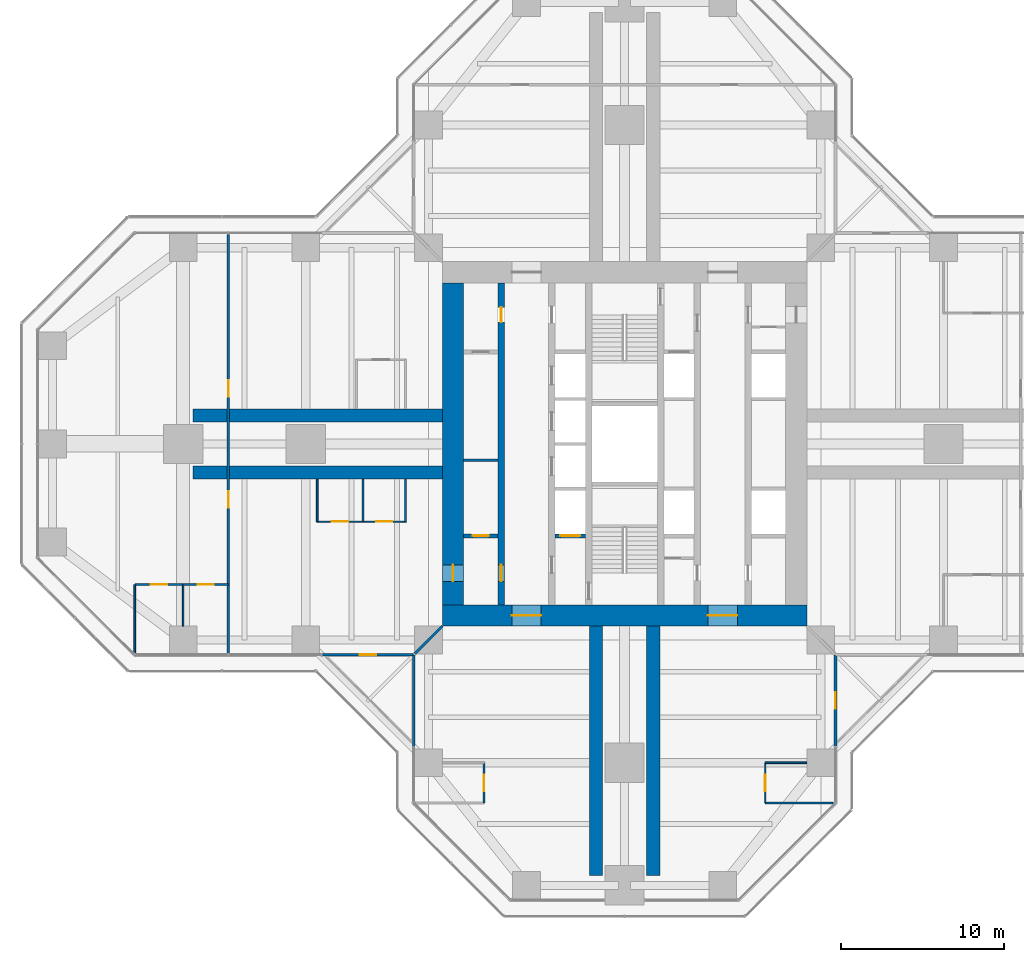
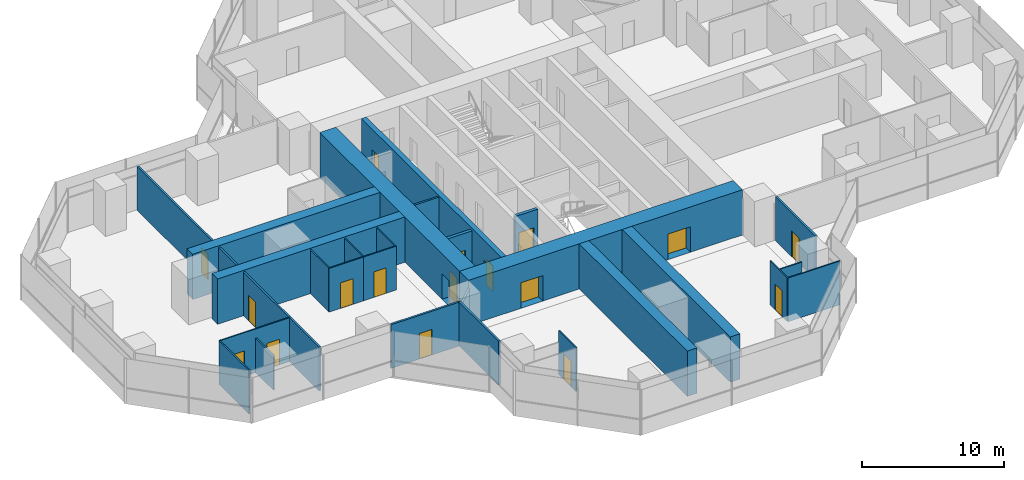
# One storey, part 15 of 20: 27 walls, 17 doors, 17 openings.
"""IFC4 building model written with IfcOpenShell, lengths in metres."""

from ifc_helpers import new_model, si_unit, direction, frame, frame_2d, origin, place, context, subcontext, project, spatial, rectangle, extrude, material, layer, layer_set, type_object, element, fill, save


model = new_model("IFC4")

# Units and contexts
model_context = context("Model", 3, precision=1e-05, world=origin(), true_north=direction((0.0, 1.0)))
body_context = subcontext(model_context, "Body", "Model", "MODEL_VIEW")
ifc_project = project(units=[si_unit("LENGTHUNIT", "METRE"), si_unit("AREAUNIT", "SQUARE_METRE"), si_unit("VOLUMEUNIT", "CUBIC_METRE"), si_unit("PLANEANGLEUNIT", "RADIAN"), si_unit("MASSUNIT", "GRAM", prefix="KILO")], contexts=[model_context])

# Site, building, storey
site_placement = place(None, origin())
site = spatial("IfcSite", under=ifc_project, at=site_placement, CompositionType="ELEMENT")
building_placement = place(site_placement, origin())
building = spatial("IfcBuilding", under=site, at=building_placement, Name="Mizan Broadcast Tower", CompositionType="ELEMENT")
storey_placement = place(building_placement, frame((0.0, 0.0, 143.699951171875)))
storey = spatial("IfcBuildingStorey", under=building, at=storey_placement, Name="L32", CompositionType="ELEMENT", Elevation=143.699951171875)

# Wall, openings, doors
ifc_material_1 = material(Name="Concrete C70/85", Category="concrete")
ifc_layer_1 = layer(ifc_material_1, 0.39990234375)
ifc_layer_set_1 = layer_set([ifc_layer_1], Name="Concrete C70/85")
wall_type_1 = type_object("IfcWallType", Name="CORE INTERNAL WALL 400", PredefinedType="SHEAR", material=ifc_layer_set_1)
wall_1_placement = place(storey_placement, frame((-7.550048828125, -9.85009765625, 0.0), z_axis=(0.0, 0.0, 1.0), x_axis=(0.0, 1.0, 0.0)))
wall_1 = element("IfcWall", 1, at=wall_1_placement, inside=storey, type_object=wall_type_1, Name="Core wall CORE/XW1", PredefinedType="SHEAR", context=body_context, shape_type="SweptSolid", body=[
    extrude(rectangle(XDim=19.7001953125, YDim=0.39990234375, at=frame_2d((9.85009765625, 0.0))), origin(), (0.0, 0.0, 1.0), 3.900146484375),
])
opening_1_placement = place(wall_1_placement, frame((1.449951171875, 0.0, 0.0)))
opening_1 = element("IfcOpeningElement", 2, at=opening_1_placement, cuts=wall_1, Name="Opening D10F", PredefinedType="OPENING", context=body_context, shape_type="SweptSolid", body=[
    extrude(rectangle(XDim=1.0, YDim=2.199951171875, at=frame_2d((0.5, 1.10009765625))), frame((0.0, 0.2099609375, 0.0), z_axis=(0.0, -1.0, 0.0), x_axis=(1.0, 0.0, 0.0)), (0.0, 0.0, 1.0), 0.419921875),
])
opening_2_placement = place(wall_1_placement, frame((17.300048828125, 0.0, 0.0)))
opening_2 = element("IfcOpeningElement", 3, at=opening_2_placement, cuts=wall_1, Name="Opening D09", PredefinedType="OPENING", context=body_context, shape_type="SweptSolid", body=[
    extrude(rectangle(XDim=0.89990234375, YDim=2.10009765625, at=frame_2d((0.449951171875, 1.050048828125))), frame((0.0, 0.2099609375, 0.0), z_axis=(0.0, -1.0, 0.0), x_axis=(1.0, 0.0, 0.0)), (0.0, 0.0, 1.0), 0.419921875),
])
ifc_material_2 = material(Name="Steel door leaf in steel frame", Category="steel")
door_type_1 = type_object("IfcDoorType", Name="FIRE DOOR 1000 FD90", OperationType="SINGLE_SWING_LEFT", PredefinedType="DOOR", material=ifc_material_2)
door_1_placement = place(opening_1_placement, origin())
door_1 = element("IfcDoor", 4, at=door_1_placement, inside=storey, type_object=door_type_1, Name="West core passage door", OperationType="SINGLE_SWING_LEFT", OverallHeight=2.199951171875, OverallWidth=1.0, PredefinedType="DOOR", context=body_context, shape_type="SweptSolid", body=[
    extrude(rectangle(XDim=1.0, YDim=2.199951171875, at=frame_2d((0.5, 1.10009765625))), frame((0.0, 0.02490234375, 0.0), z_axis=(0.0, -1.0, 0.0), x_axis=(1.0, 0.0, 0.0)), (0.0, 0.0, 1.0), 0.050048828125),
])
fill(opening_1, door_1)
ifc_material_3 = material(Name="Timber door leaf in aluminium frame", Category="wood")
door_type_2 = type_object("IfcDoorType", Name="TOILET DOOR 900", OperationType="SINGLE_SWING_LEFT", PredefinedType="DOOR", material=ifc_material_3)
door_2_placement = place(opening_2_placement, origin())
door_2 = element("IfcDoor", 5, at=door_2_placement, inside=storey, type_object=door_type_2, Name="Male WC door", OperationType="SINGLE_SWING_RIGHT", OverallHeight=2.10009765625, OverallWidth=0.89990234375, PredefinedType="DOOR", context=body_context, shape_type="SweptSolid", body=[
    extrude(rectangle(XDim=0.89990234375, YDim=2.10009765625, at=frame_2d((0.449951171875, 1.050048828125))), frame((0.0, 0.02490234375, 0.0), z_axis=(0.0, -1.0, 0.0), x_axis=(1.0, 0.0, 0.0)), (0.0, 0.0, 1.0), 0.050048828125),
])
fill(opening_2, door_2)

# Wall
ifc_material_4 = material(Name="Concrete blockwork", Category="masonry")
ifc_layer_2 = layer(ifc_material_4, 0.14990234375)
ifc_layer_set_2 = layer_set([ifc_layer_2], Name="Concrete blockwork")
wall_type_2 = type_object("IfcWallType", Name="CORE PARTITION 150", PredefinedType="SOLIDWALL", material=ifc_layer_set_2)
wall_2_placement = place(storey_placement, frame((-9.85009765625, -1.0, 0.0), z_axis=(0.0, 0.0, 1.0), x_axis=(1.0, 0.0, 0.0)))
element("IfcWall", 6, at=wall_2_placement, inside=storey, type_object=wall_type_2, Name="Core partition CORE/XP1", PredefinedType="SOLIDWALL", context=body_context, shape_type="SweptSolid", body=[
    extrude(rectangle(XDim=2.10009765625, YDim=0.14990234375, at=frame_2d((1.050048828125, 0.0))), origin(), (0.0, 0.0, 1.0), 3.77001953125),
])

# Wall, openings, doors
ifc_material_5 = material(Name="Concrete C70/85", Category="concrete")
ifc_layer_3 = layer(ifc_material_5, 1.300048828125)
ifc_layer_set_3 = layer_set([ifc_layer_3], Name="Concrete C70/85")
wall_type_3 = type_object("IfcWallType", Name="CORE WALL 1300", PredefinedType="SHEAR", material=ifc_layer_set_3)
wall_3_placement = place(storey_placement, frame((11.14990234375, -10.5, 0.0), z_axis=(0.0, 0.0, 1.0), x_axis=(-1.0, 0.0, 0.0)))
wall_3 = element("IfcWall", 7, at=wall_3_placement, inside=storey, type_object=wall_type_3, Name="Core wall S L32", PredefinedType="SHEAR", context=body_context, shape_type="SweptSolid", body=[
    extrude(rectangle(XDim=22.2998046875, YDim=1.300048828125, at=frame_2d((11.14990234375, 0.0))), origin(), (0.0, 0.0, 1.0), 3.900146484375),
])
opening_3_placement = place(wall_3_placement, frame((16.25, 0.0, 0.0)))
opening_3 = element("IfcOpeningElement", 8, at=opening_3_placement, cuts=wall_3, Name="Opening D18F", PredefinedType="OPENING", context=body_context, shape_type="SweptSolid", body=[
    extrude(rectangle(XDim=1.800048828125, YDim=2.199951171875, at=frame_2d((0.89990234375, 1.10009765625))), frame((0.0, 0.659912109375, 0.0), z_axis=(0.0, -1.0, 0.0), x_axis=(1.0, 0.0, 0.0)), (0.0, 0.0, 1.0), 1.320068359375),
])
opening_4_placement = place(wall_3_placement, frame((4.25, 0.0, 0.0)))
opening_4 = element("IfcOpeningElement", 9, at=opening_4_placement, cuts=wall_3, Name="Opening D18F", PredefinedType="OPENING", context=body_context, shape_type="SweptSolid", body=[
    extrude(rectangle(XDim=1.800048828125, YDim=2.199951171875, at=frame_2d((0.89990234375, 1.10009765625))), frame((0.0, 0.659912109375, 0.0), z_axis=(0.0, -1.0, 0.0), x_axis=(1.0, 0.0, 0.0)), (0.0, 0.0, 1.0), 1.320068359375),
])
ifc_material_6 = material(Name="Steel door leaf in steel frame", Category="steel")
door_type_3 = type_object("IfcDoorType", Name="LOBBY DOUBLE DOOR 1800 FD90", OperationType="DOUBLE_DOOR_DOUBLE_SWING", PredefinedType="DOOR", material=ifc_material_6)
door_3_placement = place(opening_3_placement, origin())
door_3 = element("IfcDoor", 10, at=door_3_placement, inside=storey, type_object=door_type_3, Name="West lift lobby south door", OperationType="DOUBLE_DOOR_DOUBLE_SWING", OverallHeight=2.199951171875, OverallWidth=1.800048828125, PredefinedType="DOOR", context=body_context, shape_type="SweptSolid", body=[
    extrude(rectangle(XDim=1.800048828125, YDim=2.199951171875, at=frame_2d((0.89990234375, 1.10009765625))), frame((0.0, 0.02490234375, 0.0), z_axis=(0.0, -1.0, 0.0), x_axis=(1.0, 0.0, 0.0)), (0.0, 0.0, 1.0), 0.050048828125),
])
fill(opening_3, door_3)
door_4_placement = place(opening_4_placement, origin())
door_4 = element("IfcDoor", 11, at=door_4_placement, inside=storey, type_object=door_type_3, Name="East lift lobby south door", OperationType="DOUBLE_DOOR_DOUBLE_SWING", OverallHeight=2.199951171875, OverallWidth=1.800048828125, PredefinedType="DOOR", context=body_context, shape_type="SweptSolid", body=[
    extrude(rectangle(XDim=1.800048828125, YDim=2.199951171875, at=frame_2d((0.89990234375, 1.10009765625))), frame((0.0, 0.02490234375, 0.0), z_axis=(0.0, -1.0, 0.0), x_axis=(1.0, 0.0, 0.0)), (0.0, 0.0, 1.0), 0.050048828125),
])
fill(opening_4, door_4)

# Wall, opening, door
wall_4_placement = place(storey_placement, frame((-10.5, 9.85009765625, 0.0), z_axis=(0.0, 0.0, 1.0), x_axis=(0.0, -1.0, 0.0)))
wall_4 = element("IfcWall", 12, at=wall_4_placement, inside=storey, type_object=wall_type_3, Name="Core wall W L32", PredefinedType="SHEAR", context=body_context, shape_type="SweptSolid", body=[
    extrude(rectangle(XDim=19.7001953125, YDim=1.300048828125, at=frame_2d((9.85009765625, 0.0))), origin(), (0.0, 0.0, 1.0), 3.900146484375),
])
opening_5_placement = place(wall_4_placement, frame((17.25, 0.0, 0.0)))
opening_5 = element("IfcOpeningElement", 13, at=opening_5_placement, cuts=wall_4, Name="Opening D10F", PredefinedType="OPENING", context=body_context, shape_type="SweptSolid", body=[
    extrude(rectangle(XDim=1.0, YDim=2.199951171875, at=frame_2d((0.5, 1.10009765625))), frame((0.0, 0.659912109375, 0.0), z_axis=(0.0, -1.0, 0.0), x_axis=(1.0, 0.0, 0.0)), (0.0, 0.0, 1.0), 1.320068359375),
])
door_5_placement = place(opening_5_placement, origin())
door_5 = element("IfcDoor", 14, at=door_5_placement, inside=storey, type_object=door_type_1, Name="West core passage arm door", OperationType="SINGLE_SWING_RIGHT", OverallHeight=2.199951171875, OverallWidth=1.0, PredefinedType="DOOR", context=body_context, shape_type="SweptSolid", body=[
    extrude(rectangle(XDim=1.0, YDim=2.199951171875, at=frame_2d((0.5, 1.10009765625))), frame((0.0, 0.02490234375, 0.0), z_axis=(0.0, -1.0, 0.0), x_axis=(1.0, 0.0, 0.0)), (0.0, 0.0, 1.0), 0.050048828125),
])
fill(opening_5, door_5)

ifc_material_7 = material(Name="Aluminium framed glazed screen", Category="aluminium")
ifc_layer_4 = layer(ifc_material_7, 0.159912109375)
ifc_layer_set_4 = layer_set([ifc_layer_4], Name="Aluminium framed glazed screen")
wall_type_4 = type_object("IfcWallType", Name="GLAZED SCREEN WALL 160", PredefinedType="SOLIDWALL", material=ifc_layer_set_4)
wall_5_placement = place(storey_placement, frame((-18.5, -12.89990234375, 0.0), z_axis=(0.0, 0.0, 1.0), x_axis=(1.0, 0.0, 0.0)))
wall_5 = element("IfcWall", 15, at=wall_5_placement, inside=storey, type_object=wall_type_4, Name="Winter garden screen L32 W", PredefinedType="SOLIDWALL", context=body_context, shape_type="SweptSolid", body=[
    extrude(rectangle(XDim=5.60009765625, YDim=0.159912109375, at=frame_2d((2.800048828125, 0.0))), origin(), (0.0, 0.0, 1.0), 3.77001953125),
])
opening_6_placement = place(wall_5_placement, frame((2.300048828125, 0.0, 0.0)))
opening_6 = element("IfcOpeningElement", 16, at=opening_6_placement, cuts=wall_5, Name="Opening WGD", PredefinedType="OPENING", context=body_context, shape_type="SweptSolid", body=[
    extrude(rectangle(XDim=1.0, YDim=2.199951171875, at=frame_2d((0.5, 1.10009765625))), frame((0.0, 0.08984375, 0.0), z_axis=(0.0, -1.0, 0.0), x_axis=(1.0, 0.0, 0.0)), (0.0, 0.0, 1.0), 0.179931640625),
])
ifc_material_8 = material(Name="Aluminium framed glazed door", Category="aluminium")
door_type_4 = type_object("IfcDoorType", Name="WINTER GARDEN DOOR 1000 GLAZED", OperationType="SINGLE_SWING_LEFT", PredefinedType="DOOR", material=ifc_material_8)
door_6_placement = place(opening_6_placement, origin())
door_6 = element("IfcDoor", 17, at=door_6_placement, inside=storey, type_object=door_type_4, Name="Winter garden door L32 W", OperationType="SINGLE_SWING_RIGHT", OverallHeight=2.199951171875, OverallWidth=1.0, PredefinedType="DOOR", context=body_context, shape_type="SweptSolid", body=[
    extrude(rectangle(XDim=1.0, YDim=2.199951171875, at=frame_2d((0.5, 1.10009765625))), frame((0.0, 0.02490234375, 0.0), z_axis=(0.0, -1.0, 0.0), x_axis=(1.0, 0.0, 0.0)), (0.0, 0.0, 1.0), 0.050048828125),
])
fill(opening_6, door_6)

# Wall
wall_6_placement = place(storey_placement, frame((-12.89990234375, -12.89990234375, 0.0), z_axis=(0.0, 0.0, 1.0), x_axis=(0.0, -1.0, 0.0)))
element("IfcWall", 18, at=wall_6_placement, inside=storey, type_object=wall_type_4, Name="Winter garden screen L32 S", PredefinedType="SOLIDWALL", context=body_context, shape_type="SweptSolid", body=[
    extrude(rectangle(XDim=5.60009765625, YDim=0.159912109375, at=frame_2d((2.800048828125, 0.0))), origin(), (0.0, 0.0, 1.0), 3.77001953125),
])

# Wall, opening, door
wall_7_placement = place(storey_placement, frame((12.89990234375, -18.5, 0.0), z_axis=(0.0, 0.0, 1.0), x_axis=(0.0, 1.0, 0.0)))
wall_7 = element("IfcWall", 19, at=wall_7_placement, inside=storey, type_object=wall_type_4, Name="Winter garden screen L32 S", PredefinedType="SOLIDWALL", context=body_context, shape_type="SweptSolid", body=[
    extrude(rectangle(XDim=5.60009765625, YDim=0.159912109375, at=frame_2d((2.800048828125, 0.0))), origin(), (0.0, 0.0, 1.0), 3.77001953125),
])
opening_7_placement = place(wall_7_placement, frame((2.300048828125, 0.0, 0.0)))
opening_7 = element("IfcOpeningElement", 20, at=opening_7_placement, cuts=wall_7, Name="Opening WGD", PredefinedType="OPENING", context=body_context, shape_type="SweptSolid", body=[
    extrude(rectangle(XDim=1.0, YDim=2.199951171875, at=frame_2d((0.5, 1.10009765625))), frame((0.0, 0.08984375, 0.0), z_axis=(0.0, -1.0, 0.0), x_axis=(1.0, 0.0, 0.0)), (0.0, 0.0, 1.0), 0.179931640625),
])
door_7_placement = place(opening_7_placement, origin())
door_7 = element("IfcDoor", 21, at=door_7_placement, inside=storey, type_object=door_type_4, Name="Winter garden door L32 S", OperationType="SINGLE_SWING_RIGHT", OverallHeight=2.199951171875, OverallWidth=1.0, PredefinedType="DOOR", context=body_context, shape_type="SweptSolid", body=[
    extrude(rectangle(XDim=1.0, YDim=2.199951171875, at=frame_2d((0.5, 1.10009765625))), frame((0.0, 0.02490234375, 0.0), z_axis=(0.0, -1.0, 0.0), x_axis=(1.0, 0.0, 0.0)), (0.0, 0.0, 1.0), 0.050048828125),
])
fill(opening_7, door_7)

ifc_material_9 = material(Name="Concrete blockwork", Category="masonry")
ifc_layer_5 = layer(ifc_material_9, 0.25)
ifc_layer_set_5 = layer_set([ifc_layer_5], Name="Concrete blockwork")
wall_type_5 = type_object("IfcWallType", Name="LOBBY ENCLOSURE WALL 250", PredefinedType="SOLIDWALL", material=ifc_layer_set_5)
wall_8_placement = place(storey_placement, frame((-9.85009765625, -5.625, 0.0), z_axis=(0.0, 0.0, 1.0), x_axis=(1.0, 0.0, 0.0)))
wall_8 = element("IfcWall", 22, at=wall_8_placement, inside=storey, type_object=wall_type_5, Name="Lobby enclosure wall CORE/BW1S", PredefinedType="SOLIDWALL", context=body_context, shape_type="SweptSolid", body=[
    extrude(rectangle(XDim=2.10009765625, YDim=0.25, at=frame_2d((1.050048828125, 0.0))), origin(), (0.0, 0.0, 1.0), 3.699951171875),
])
opening_8_placement = place(wall_8_placement, frame((0.550048828125, 0.0, 0.0)))
opening_8 = element("IfcOpeningElement", 23, at=opening_8_placement, cuts=wall_8, Name="Opening D10F", PredefinedType="OPENING", context=body_context, shape_type="SweptSolid", body=[
    extrude(rectangle(XDim=1.0, YDim=2.199951171875, at=frame_2d((0.5, 1.10009765625))), frame((0.0, 0.135009765625, 0.0), z_axis=(0.0, -1.0, 0.0), x_axis=(1.0, 0.0, 0.0)), (0.0, 0.0, 1.0), 0.27001953125),
])
door_8_placement = place(opening_8_placement, origin())
door_8 = element("IfcDoor", 24, at=door_8_placement, inside=storey, type_object=door_type_1, Name="Housekeeping store door", OperationType="SINGLE_SWING_RIGHT", OverallHeight=2.199951171875, OverallWidth=1.0, PredefinedType="DOOR", context=body_context, shape_type="SweptSolid", body=[
    extrude(rectangle(XDim=1.0, YDim=2.199951171875, at=frame_2d((0.5, 1.10009765625))), frame((0.0, 0.02490234375, 0.0), z_axis=(0.0, -1.0, 0.0), x_axis=(1.0, 0.0, 0.0)), (0.0, 0.0, 1.0), 0.050048828125),
])
fill(opening_8, door_8)

wall_9_placement = place(storey_placement, frame((-4.25, -5.625, 0.0), z_axis=(0.0, 0.0, 1.0), x_axis=(1.0, 0.0, 0.0)))
wall_9 = element("IfcWall", 25, at=wall_9_placement, inside=storey, type_object=wall_type_5, Name="Lobby enclosure wall CORE/BW2S", PredefinedType="SOLIDWALL", context=body_context, shape_type="SweptSolid", body=[
    extrude(rectangle(XDim=1.85009765625, YDim=0.25, at=frame_2d((0.925048828125, 0.0))), origin(), (0.0, 0.0, 1.0), 3.699951171875),
])
opening_9_placement = place(wall_9_placement, frame((0.324951171875, 0.0, 0.0)))
opening_9 = element("IfcOpeningElement", 26, at=opening_9_placement, cuts=wall_9, Name="Opening LDF", PredefinedType="OPENING", context=body_context, shape_type="SweptSolid", body=[
    extrude(rectangle(XDim=1.199951171875, YDim=2.199951171875, at=frame_2d((0.60009765625, 1.10009765625))), frame((0.0, 0.135009765625, 0.0), z_axis=(0.0, -1.0, 0.0), x_axis=(1.0, 0.0, 0.0)), (0.0, 0.0, 1.0), 0.27001953125),
])
ifc_material_10 = material(Name="Steel door leaf in steel frame", Category="steel")
door_type_5 = type_object("IfcDoorType", Name="FIREFIGHTING LIFT LANDING DOOR 1200", OperationType="SLIDING_TO_LEFT", PredefinedType="DOOR", material=ifc_material_10)
door_9_placement = place(opening_9_placement, origin())
door_9 = element("IfcDoor", 27, at=door_9_placement, inside=storey, type_object=door_type_5, Name="Landing door FF1", OperationType="SLIDING_TO_LEFT", OverallHeight=2.199951171875, OverallWidth=1.199951171875, PredefinedType="DOOR", context=body_context, shape_type="SweptSolid", body=[
    extrude(rectangle(XDim=1.199951171875, YDim=2.199951171875, at=frame_2d((0.60009765625, 1.10009765625))), frame((0.0, 0.02490234375, 0.0), z_axis=(0.0, -1.0, 0.0), x_axis=(1.0, 0.0, 0.0)), (0.0, 0.0, 1.0), 0.050048828125),
])
fill(opening_9, door_9)

# Wall, openings, doors
ifc_material_11 = material(Name="Gypsum board on steel studs", Category="steel")
ifc_layer_6 = layer(ifc_material_11, 0.14990234375)
ifc_layer_set_6 = layer_set([ifc_layer_6], Name="Gypsum board on steel studs")
wall_type_6 = type_object("IfcWallType", Name="PARTITION 150", PredefinedType="PARTITIONING", material=ifc_layer_set_6)
wall_10_placement = place(storey_placement, frame((-24.22900390625, 12.820068359375, 0.0), z_axis=(0.0, 0.0, 1.0), x_axis=(0.0, -1.0, 0.0)))
wall_10 = element("IfcWall", 28, at=wall_10_placement, inside=storey, type_object=wall_type_6, Name="Partition PT/WX1", PredefinedType="PARTITIONING", context=body_context, shape_type="SweptSolid", body=[
    extrude(rectangle(XDim=25.64013671875, YDim=0.14990234375, at=frame_2d((12.820068359375, 0.0))), origin(), (0.0, 0.0, 1.0), 3.77001953125),
])
opening_10_placement = place(wall_10_placement, frame((15.719970703125, 0.0, 0.0)))
opening_10 = element("IfcOpeningElement", 29, at=opening_10_placement, cuts=wall_10, Name="Opening D10", PredefinedType="OPENING", context=body_context, shape_type="SweptSolid", body=[
    extrude(rectangle(XDim=1.0, YDim=2.199951171875, at=frame_2d((0.5, 1.10009765625))), frame((0.0, 0.0849609375, 0.0), z_axis=(0.0, -1.0, 0.0), x_axis=(1.0, 0.0, 0.0)), (0.0, 0.0, 1.0), 0.169921875),
])
opening_11_placement = place(wall_10_placement, frame((8.919921875, 0.0, 0.0)))
opening_11 = element("IfcOpeningElement", 30, at=opening_11_placement, cuts=wall_10, Name="Opening D10", PredefinedType="OPENING", context=body_context, shape_type="SweptSolid", body=[
    extrude(rectangle(XDim=1.0, YDim=2.199951171875, at=frame_2d((0.5, 1.10009765625))), frame((0.0, 0.0849609375, 0.0), z_axis=(0.0, -1.0, 0.0), x_axis=(1.0, 0.0, 0.0)), (0.0, 0.0, 1.0), 0.169921875),
])
ifc_material_12 = material(Name="Timber door leaf in aluminium frame", Category="wood")
door_type_6 = type_object("IfcDoorType", Name="ROOM DOOR 1000", OperationType="SINGLE_SWING_LEFT", PredefinedType="DOOR", material=ifc_material_12)
door_10_placement = place(opening_10_placement, origin())
door_10 = element("IfcDoor", 31, at=door_10_placement, inside=storey, type_object=door_type_6, Name="Open office door", OperationType="SINGLE_SWING_RIGHT", OverallHeight=2.199951171875, OverallWidth=1.0, PredefinedType="DOOR", context=body_context, shape_type="SweptSolid", body=[
    extrude(rectangle(XDim=1.0, YDim=2.199951171875, at=frame_2d((0.5, 1.10009765625))), frame((0.0, 0.02490234375, 0.0), z_axis=(0.0, -1.0, 0.0), x_axis=(1.0, 0.0, 0.0)), (0.0, 0.0, 1.0), 0.050048828125),
])
fill(opening_10, door_10)
door_11_placement = place(opening_11_placement, origin())
door_11 = element("IfcDoor", 32, at=door_11_placement, inside=storey, type_object=door_type_6, Name="Open office door", OperationType="SINGLE_SWING_LEFT", OverallHeight=2.199951171875, OverallWidth=1.0, PredefinedType="DOOR", context=body_context, shape_type="SweptSolid", body=[
    extrude(rectangle(XDim=1.0, YDim=2.199951171875, at=frame_2d((0.5, 1.10009765625))), frame((0.0, 0.02490234375, 0.0), z_axis=(0.0, -1.0, 0.0), x_axis=(1.0, 0.0, 0.0)), (0.0, 0.0, 1.0), 0.050048828125),
])
fill(opening_11, door_11)

# Wall
wall_11_placement = place(storey_placement, frame((-11.14990234375, -11.14990234375, 0.0), z_axis=(0.0, 0.0, 1.0), x_axis=(-0.707106781187, -0.707106781187, 0.0)))
element("IfcWall", 33, at=wall_11_placement, inside=storey, type_object=wall_type_6, Name="Partition PT/DGWS", PredefinedType="PARTITIONING", context=body_context, shape_type="SweptSolid", body=[
    extrude(rectangle(XDim=2.362060546875, YDim=0.14990234375, at=frame_2d((1.18115234375, 0.0))), origin(), (0.0, 0.0, 1.0), 3.219970703125),
])

# Wall, openings, doors
ifc_material_13 = material(Name="Glazed aluminium partition on aluminium track", Category="aluminium")
ifc_layer_7 = layer(ifc_material_13, 0.10009765625)
ifc_layer_set_7 = layer_set([ifc_layer_7], Name="Glazed aluminium partition on aluminium track")
wall_type_7 = type_object("IfcWallType", Name="PARTITION GLAZED OFFICE FRONT 100", PredefinedType="PARTITIONING", material=ifc_layer_set_7)
wall_12_placement = place(storey_placement, frame((-24.22900390625, -8.60009765625, 0.0), z_axis=(0.0, 0.0, 1.0), x_axis=(-1.0, 0.0, 0.0)))
wall_12 = element("IfcWall", 34, at=wall_12_placement, inside=storey, type_object=wall_type_7, Name="Glazed office front PT/WCP0", PredefinedType="PARTITIONING", context=body_context, shape_type="SweptSolid", body=[
    extrude(rectangle(XDim=5.72998046875, YDim=0.10009765625, at=frame_2d((2.864990234375, 0.0))), origin(), (0.0, 0.0, 1.0), 3.77001953125),
])
opening_12_placement = place(wall_12_placement, frame((0.885498046875, 0.0, 0.0)))
opening_12 = element("IfcOpeningElement", 35, at=opening_12_placement, cuts=wall_12, Name="Opening D10O", PredefinedType="OPENING", context=body_context, shape_type="SweptSolid", body=[
    extrude(rectangle(XDim=1.0, YDim=2.199951171875, at=frame_2d((0.5, 1.10009765625))), frame((0.0, 0.06005859375, 0.0), z_axis=(0.0, -1.0, 0.0), x_axis=(1.0, 0.0, 0.0)), (0.0, 0.0, 1.0), 0.1201171875),
])
opening_13_placement = place(wall_12_placement, frame((3.75048828125, 0.0, 0.0)))
opening_13 = element("IfcOpeningElement", 36, at=opening_13_placement, cuts=wall_12, Name="Opening D10O", PredefinedType="OPENING", context=body_context, shape_type="SweptSolid", body=[
    extrude(rectangle(XDim=1.0, YDim=2.199951171875, at=frame_2d((0.5, 1.10009765625))), frame((0.0, 0.06005859375, 0.0), z_axis=(0.0, -1.0, 0.0), x_axis=(1.0, 0.0, 0.0)), (0.0, 0.0, 1.0), 0.1201171875),
])
ifc_material_14 = material(Name="Timber door leaf in aluminium frame", Category="wood")
door_type_7 = type_object("IfcDoorType", Name="OFFICE DOOR 1000 GLAZED", OperationType="SINGLE_SWING_LEFT", PredefinedType="DOOR", material=ifc_material_14)
door_12_placement = place(opening_12_placement, origin())
door_12 = element("IfcDoor", 37, at=door_12_placement, inside=storey, type_object=door_type_7, Name="Office door", OperationType="SINGLE_SWING_LEFT", OverallHeight=2.199951171875, OverallWidth=1.0, PredefinedType="DOOR", context=body_context, shape_type="SweptSolid", body=[
    extrude(rectangle(XDim=1.0, YDim=2.199951171875, at=frame_2d((0.5, 1.10009765625))), frame((0.0, 0.02490234375, 0.0), z_axis=(0.0, -1.0, 0.0), x_axis=(1.0, 0.0, 0.0)), (0.0, 0.0, 1.0), 0.050048828125),
])
fill(opening_12, door_12)
door_13_placement = place(opening_13_placement, origin())
door_13 = element("IfcDoor", 38, at=door_13_placement, inside=storey, type_object=door_type_7, Name="Office door", OperationType="SINGLE_SWING_RIGHT", OverallHeight=2.199951171875, OverallWidth=1.0, PredefinedType="DOOR", context=body_context, shape_type="SweptSolid", body=[
    extrude(rectangle(XDim=1.0, YDim=2.199951171875, at=frame_2d((0.5, 1.10009765625))), frame((0.0, 0.02490234375, 0.0), z_axis=(0.0, -1.0, 0.0), x_axis=(1.0, 0.0, 0.0)), (0.0, 0.0, 1.0), 0.050048828125),
])
fill(opening_13, door_13)

# Walls
wall_13_placement = place(storey_placement, frame((-27.0, -8.60009765625, 0.0), z_axis=(0.0, 0.0, 1.0), x_axis=(0.0, -1.0, 0.0)))
element("IfcWall", 39, at=wall_13_placement, inside=storey, type_object=wall_type_7, Name="Glazed office front PT/WQP2700", PredefinedType="PARTITIONING", context=body_context, shape_type="SweptSolid", body=[
    extrude(rectangle(XDim=2.5498046875, YDim=0.10009765625, at=frame_2d((1.27490234375, 0.0))), origin(), (0.0, 0.0, 1.0), 2.969970703125),
])
wall_14_placement = place(storey_placement, frame((-29.958984375, -8.60009765625, 0.0), z_axis=(0.0, 0.0, 1.0), x_axis=(0.0, -1.0, 0.0)))
element("IfcWall", 40, at=wall_14_placement, inside=storey, type_object=wall_type_7, Name="Glazed office front PT/WQP2996", PredefinedType="PARTITIONING", context=body_context, shape_type="SweptSolid", body=[
    extrude(rectangle(XDim=4.219970703125, YDim=0.10009765625, at=frame_2d((2.10986328125, 0.0))), origin(), (0.0, 0.0, 1.0), 3.77001953125),
])
for number, where, z_axis, x_axis, name in (
    (41, (-13.39990234375, -2.14990234375, 0.0), (0.0, 0.0, 1.0), (0.0, -1.0, 0.0), "Glazed office front PT/WKP0a"),
    (42, (-16.0, -2.14990234375, 0.0), (0.0, 0.0, 1.0), (0.0, -1.0, 0.0), "Glazed office front PT/WKP0b"),
):
    element("IfcWall", number, at=place(storey_placement, frame(where, z_axis=z_axis, x_axis=x_axis)), inside=storey, type_object=wall_type_7, Name=name, PredefinedType="PARTITIONING", context=body_context, shape_type="SweptSolid", body=[
        extrude(rectangle(XDim=2.60009765625, YDim=0.10009765625, at=frame_2d((1.300048828125, 0.0))), origin(), (0.0, 0.0, 1.0), 3.77001953125),
    ])

# Wall, opening, door
wall_15_placement = place(storey_placement, frame((-13.35009765625, -4.75, 0.0), z_axis=(0.0, 0.0, 1.0), x_axis=(-1.0, 0.0, 0.0)))
wall_15 = element("IfcWall", 43, at=wall_15_placement, inside=storey, type_object=wall_type_7, Name="Glazed office front PT/WKP0f", PredefinedType="PARTITIONING", context=body_context, shape_type="SweptSolid", body=[
    extrude(rectangle(XDim=2.699951171875, YDim=0.10009765625, at=frame_2d((1.35009765625, 0.0))), origin(), (0.0, 0.0, 1.0), 3.77001953125),
])
opening_14_placement = place(wall_15_placement, frame((0.85009765625, 0.0, 0.0)))
opening_14 = element("IfcOpeningElement", 44, at=opening_14_placement, cuts=wall_15, Name="Opening D10O", PredefinedType="OPENING", context=body_context, shape_type="SweptSolid", body=[
    extrude(rectangle(XDim=1.0, YDim=2.199951171875, at=frame_2d((0.5, 1.10009765625))), frame((0.0, 0.06005859375, 0.0), z_axis=(0.0, -1.0, 0.0), x_axis=(1.0, 0.0, 0.0)), (0.0, 0.0, 1.0), 0.1201171875),
])
door_14_placement = place(opening_14_placement, origin())
door_14 = element("IfcDoor", 45, at=door_14_placement, inside=storey, type_object=door_type_7, Name="Interview room door", OperationType="SINGLE_SWING_LEFT", OverallHeight=2.199951171875, OverallWidth=1.0, PredefinedType="DOOR", context=body_context, shape_type="SweptSolid", body=[
    extrude(rectangle(XDim=1.0, YDim=2.199951171875, at=frame_2d((0.5, 1.10009765625))), frame((0.0, 0.02490234375, 0.0), z_axis=(0.0, -1.0, 0.0), x_axis=(1.0, 0.0, 0.0)), (0.0, 0.0, 1.0), 0.050048828125),
])
fill(opening_14, door_14)

# Wall
wall_16_placement = place(storey_placement, frame((-18.800048828125, -2.14990234375, 0.0), z_axis=(0.0, 0.0, 1.0), x_axis=(0.0, -1.0, 0.0)))
element("IfcWall", 46, at=wall_16_placement, inside=storey, type_object=wall_type_7, Name="Glazed office front PT/WKP1b", PredefinedType="PARTITIONING", context=body_context, shape_type="SweptSolid", body=[
    extrude(rectangle(XDim=2.60009765625, YDim=0.10009765625, at=frame_2d((1.300048828125, 0.0))), origin(), (0.0, 0.0, 1.0), 3.77001953125),
])

# Wall, opening, door
wall_17_placement = place(storey_placement, frame((-16.050048828125, -4.75, 0.0), z_axis=(0.0, 0.0, 1.0), x_axis=(-1.0, 0.0, 0.0)))
wall_17 = element("IfcWall", 47, at=wall_17_placement, inside=storey, type_object=wall_type_7, Name="Glazed office front PT/WKP1f", PredefinedType="PARTITIONING", context=body_context, shape_type="SweptSolid", body=[
    extrude(rectangle(XDim=2.800048828125, YDim=0.10009765625, at=frame_2d((1.39990234375, 0.0))), origin(), (0.0, 0.0, 1.0), 3.77001953125),
])
opening_15_placement = place(wall_17_placement, frame((0.85009765625, 0.0, 0.0)))
opening_15 = element("IfcOpeningElement", 48, at=opening_15_placement, cuts=wall_17, Name="Opening D10O", PredefinedType="OPENING", context=body_context, shape_type="SweptSolid", body=[
    extrude(rectangle(XDim=1.0, YDim=2.199951171875, at=frame_2d((0.5, 1.10009765625))), frame((0.0, 0.06005859375, 0.0), z_axis=(0.0, -1.0, 0.0), x_axis=(1.0, 0.0, 0.0)), (0.0, 0.0, 1.0), 0.1201171875),
])
door_15_placement = place(opening_15_placement, origin())
door_15 = element("IfcDoor", 49, at=door_15_placement, inside=storey, type_object=door_type_7, Name="Interview room door", OperationType="SINGLE_SWING_LEFT", OverallHeight=2.199951171875, OverallWidth=1.0, PredefinedType="DOOR", context=body_context, shape_type="SweptSolid", body=[
    extrude(rectangle(XDim=1.0, YDim=2.199951171875, at=frame_2d((0.5, 1.10009765625))), frame((0.0, 0.02490234375, 0.0), z_axis=(0.0, -1.0, 0.0), x_axis=(1.0, 0.0, 0.0)), (0.0, 0.0, 1.0), 0.050048828125),
])
fill(opening_15, door_15)

wall_18_placement = place(storey_placement, frame((8.60009765625, -19.5, 0.0), z_axis=(0.0, 0.0, 1.0), x_axis=(0.0, -1.0, 0.0)))
wall_18 = element("IfcWall", 50, at=wall_18_placement, inside=storey, type_object=wall_type_7, Name="Glazed office front PT/SCP0", PredefinedType="PARTITIONING", context=body_context, shape_type="SweptSolid", body=[
    extrude(rectangle(XDim=2.458984375, YDim=0.10009765625, at=frame_2d((1.2294921875, 0.0))), origin(), (0.0, 0.0, 1.0), 3.77001953125),
])
opening_16_placement = place(wall_18_placement, frame((0.7294921875, 0.0, 0.0)))
opening_16 = element("IfcOpeningElement", 51, at=opening_16_placement, cuts=wall_18, Name="Opening D10O", PredefinedType="OPENING", context=body_context, shape_type="SweptSolid", body=[
    extrude(rectangle(XDim=1.0, YDim=2.199951171875, at=frame_2d((0.5, 1.10009765625))), frame((0.0, 0.06005859375, 0.0), z_axis=(0.0, -1.0, 0.0), x_axis=(1.0, 0.0, 0.0)), (0.0, 0.0, 1.0), 0.1201171875),
])
door_16_placement = place(opening_16_placement, origin())
door_16 = element("IfcDoor", 52, at=door_16_placement, inside=storey, type_object=door_type_7, Name="Office door", OperationType="SINGLE_SWING_LEFT", OverallHeight=2.199951171875, OverallWidth=1.0, PredefinedType="DOOR", context=body_context, shape_type="SweptSolid", body=[
    extrude(rectangle(XDim=1.0, YDim=2.199951171875, at=frame_2d((0.5, 1.10009765625))), frame((0.0, 0.02490234375, 0.0), z_axis=(0.0, -1.0, 0.0), x_axis=(1.0, 0.0, 0.0)), (0.0, 0.0, 1.0), 0.050048828125),
])
fill(opening_16, door_16)

# Walls
wall_19_placement = place(storey_placement, frame((8.60009765625, -19.5, 0.0), z_axis=(0.0, 0.0, 1.0), x_axis=(1.0, 0.0, 0.0)))
element("IfcWall", 53, at=wall_19_placement, inside=storey, type_object=wall_type_7, Name="Glazed office front PT/SQP1950", PredefinedType="PARTITIONING", context=body_context, shape_type="SweptSolid", body=[
    extrude(rectangle(XDim=2.5498046875, YDim=0.10009765625, at=frame_2d((1.27490234375, 0.0))), origin(), (0.0, 0.0, 1.0), 2.77001953125),
])
wall_20_placement = place(storey_placement, frame((8.60009765625, -21.958984375, 0.0), z_axis=(0.0, 0.0, 1.0), x_axis=(1.0, 0.0, 0.0)))
element("IfcWall", 54, at=wall_20_placement, inside=storey, type_object=wall_type_7, Name="Glazed office front PT/SQP2196", PredefinedType="PARTITIONING", context=body_context, shape_type="SweptSolid", body=[
    extrude(rectangle(XDim=4.219970703125, YDim=0.10009765625, at=frame_2d((2.10986328125, 0.0))), origin(), (0.0, 0.0, 1.0), 3.77001953125),
])

# Wall, opening, door
wall_21_placement = place(storey_placement, frame((-8.60009765625, -19.5, 0.0), z_axis=(0.0, 0.0, 1.0), x_axis=(0.0, -1.0, 0.0)))
wall_21 = element("IfcWall", 55, at=wall_21_placement, inside=storey, type_object=wall_type_7, Name="Glazed office front PT/SCN0", PredefinedType="PARTITIONING", context=body_context, shape_type="SweptSolid", body=[
    extrude(rectangle(XDim=2.458984375, YDim=0.10009765625, at=frame_2d((1.2294921875, 0.0))), origin(), (0.0, 0.0, 1.0), 3.77001953125),
])
opening_17_placement = place(wall_21_placement, frame((0.7294921875, 0.0, 0.0)))
opening_17 = element("IfcOpeningElement", 56, at=opening_17_placement, cuts=wall_21, Name="Opening D10O", PredefinedType="OPENING", context=body_context, shape_type="SweptSolid", body=[
    extrude(rectangle(XDim=1.0, YDim=2.199951171875, at=frame_2d((0.5, 1.10009765625))), frame((0.0, 0.06005859375, 0.0), z_axis=(0.0, -1.0, 0.0), x_axis=(1.0, 0.0, 0.0)), (0.0, 0.0, 1.0), 0.1201171875),
])
door_17_placement = place(opening_17_placement, origin())
door_17 = element("IfcDoor", 57, at=door_17_placement, inside=storey, type_object=door_type_7, Name="Office door", OperationType="SINGLE_SWING_LEFT", OverallHeight=2.199951171875, OverallWidth=1.0, PredefinedType="DOOR", context=body_context, shape_type="SweptSolid", body=[
    extrude(rectangle(XDim=1.0, YDim=2.199951171875, at=frame_2d((0.5, 1.10009765625))), frame((0.0, 0.02490234375, 0.0), z_axis=(0.0, -1.0, 0.0), x_axis=(1.0, 0.0, 0.0)), (0.0, 0.0, 1.0), 0.050048828125),
])
fill(opening_17, door_17)

# Walls
ifc_material_15 = material(Name="Concrete C70/85", Category="concrete")
ifc_layer_8 = layer(ifc_material_15, 0.800048828125)
ifc_layer_set_8 = layer_set([ifc_layer_8], Name="Concrete C70/85")
wall_type_8 = type_object("IfcWallType", Name="SPINE WALL 800", PredefinedType="SHEAR", material=ifc_layer_set_8)
for number, where, z_axis, x_axis, name in (
    (58, (-11.14990234375, 1.75, 0.0), (0.0, 0.0, 1.0), (-1.0, 0.0, 0.0), "Spine wall WR L32"),
    (59, (-11.14990234375, -1.75, 0.0), (0.0, 0.0, 1.0), (-1.0, 0.0, 0.0), "Spine wall WL L32"),
    (60, (-1.75, -11.14990234375, 0.0), (0.0, 0.0, 1.0), (0.0, -1.0, 0.0), "Spine wall SR L32"),
    (61, (1.75, -11.14990234375, 0.0), (0.0, 0.0, 1.0), (0.0, -1.0, 0.0), "Spine wall SL L32"),
):
    element("IfcWall", number, at=place(storey_placement, frame(where, z_axis=z_axis, x_axis=x_axis)), inside=storey, type_object=wall_type_8, Name=name, PredefinedType="SHEAR", context=body_context, shape_type="SweptSolid", body=[
        extrude(rectangle(XDim=15.25, YDim=0.800048828125, at=frame_2d((7.625, 0.0))), origin(), (0.0, 0.0, 1.0), 3.900146484375),
    ])

save(model, "model.ifc")
